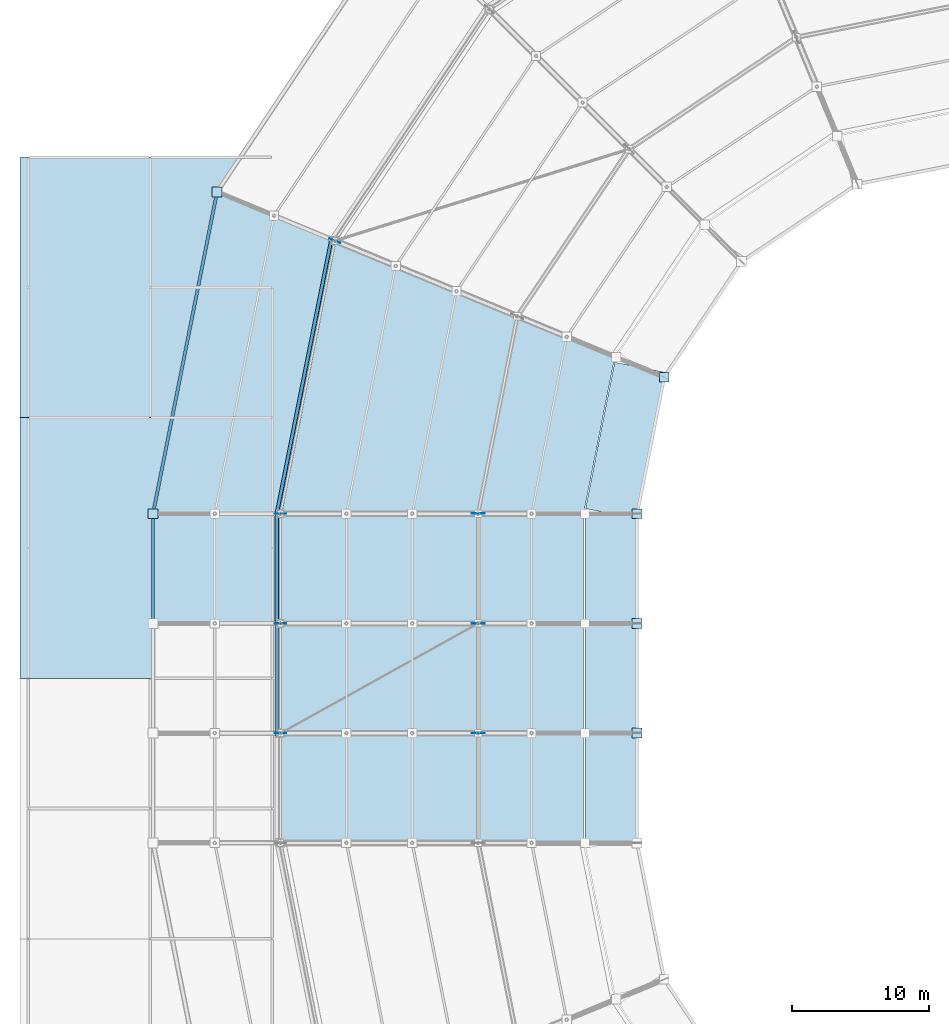
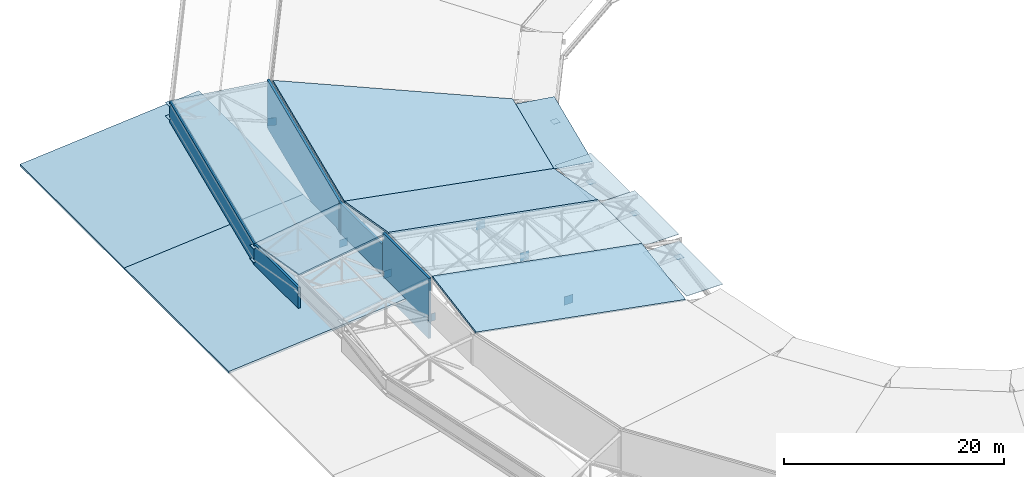
# One storey, part 108 of 146: 24 plates, 8 slabs.
"""IFC4 building model written with IfcOpenShell, lengths in metres."""

from ifc_helpers import new_model, si_unit, direction, frame, origin, origin_2d, place, context, subcontext, project, spatial, polyline, rectangle, outline, extrude, material, layer, layer_set, type_object, element, save


model = new_model("IFC4")

# Units and contexts
model_context = context("Model", 3, precision=1e-05, world=origin(), true_north=direction((0.0, 1.0)))
body_context = subcontext(model_context, "Body", "Model", "MODEL_VIEW")
ifc_project = project(units=[si_unit("LENGTHUNIT", "METRE"), si_unit("AREAUNIT", "SQUARE_METRE"), si_unit("VOLUMEUNIT", "CUBIC_METRE"), si_unit("PLANEANGLEUNIT", "RADIAN"), si_unit("MASSUNIT", "GRAM", prefix="KILO")], contexts=[model_context])

# Site, building, storey
site_placement = place(None, origin())
site = spatial("IfcSite", under=ifc_project, at=site_placement, CompositionType="ELEMENT")
building_placement = place(site_placement, origin())
building = spatial("IfcBuilding", under=site, at=building_placement, Name="Candeia Ridge Stadium", CompositionType="ELEMENT")
storey_placement = place(building_placement, frame((0.0, 0.0, 31.800048828125)))
storey = spatial("IfcBuildingStorey", under=building, at=storey_placement, Name="RF", CompositionType="ELEMENT", Elevation=31.800048828125)

# Plates
ifc_material_1 = material(Name="Aluminium Anodized Warm Bronze", Category="aluminium")
ifc_layer_1 = layer(ifc_material_1, 0.239990234375, Name="Aluminium Anodized Warm Bronze", Category="aluminium")
ifc_layer_set_1 = layer_set([ifc_layer_1], Name="Aluminium Anodized Warm Bronze")
plate_type_1 = type_object("IfcPlateType", Name="Crown Perforated Bronze Acoustic Screen", PredefinedType="SHEET", material=ifc_layer_set_1)
plate_1_placement = place(storey_placement, frame((20.709716796875, 105.00341796875, -0.3251953125), z_axis=(0.0, 0.0, 1.0), x_axis=(-0.195090318644, -0.980785281074, 0.0)))
element("IfcPlate", 1, at=plate_1_placement, inside=storey, type_object=plate_type_1, Name="Crown perforated bronze acoustic screen RF bay 11", PredefinedType="SHEET", context=body_context, shape_type="SweptSolid", body=[
    extrude(rectangle(XDim=20.798583984375, YDim=0.239990234375, at=origin_2d()), origin(), (0.0, 0.0, 1.0), 5.330078125),
])
plate_2_placement = place(storey_placement, frame((12.033203125, 106.729248046875, 1.25), z_axis=(0.0, 0.0, 1.0), x_axis=(-0.195090339048, -0.980785277015, 0.0)))
element("IfcPlate", 2, at=plate_2_placement, inside=storey, type_object=plate_type_1, Name="Saddle roof outer eaves warm-bronze fascia bay 11", PredefinedType="SHEET", context=body_context, shape_type="SweptSolid", body=[
    extrude(rectangle(XDim=23.97802734375, YDim=0.239990234375, at=origin_2d()), origin(), (0.0, 0.0, 1.0), 2.300048828125),
])
plate_3_placement = place(storey_placement, frame((18.719970703125, 91.0, -0.3251953125), z_axis=(0.0, 0.0, 1.0), x_axis=(0.0, -1.0, 0.0)))
element("IfcPlate", 3, at=plate_3_placement, inside=storey, type_object=plate_type_1, Name="Crown perforated bronze acoustic screen RF bay 12", PredefinedType="SHEET", context=body_context, shape_type="SweptSolid", body=[
    extrude(rectangle(XDim=8.39990234375, YDim=0.239990234375, at=origin_2d()), origin(), (0.0, 0.0, 1.0), 5.330078125),
])
plate_4_placement = place(storey_placement, frame((9.699951171875, 91.0, 1.25), z_axis=(0.0, 0.0, 1.0), x_axis=(0.0, -1.0, 0.0)))
element("IfcPlate", 4, at=plate_4_placement, inside=storey, type_object=plate_type_1, Name="Saddle roof outer eaves warm-bronze fascia bay 12", PredefinedType="SHEET", context=body_context, shape_type="SweptSolid", body=[
    extrude(rectangle(XDim=8.06005859375, YDim=0.239990234375, at=origin_2d()), origin(), (0.0, 0.0, 1.0), 2.300048828125),
])
plate_5_placement = place(storey_placement, frame((18.719970703125, 83.0, -0.3251953125), z_axis=(0.0, 0.0, 1.0), x_axis=(0.0, -1.0, 0.0)))
element("IfcPlate", 5, at=plate_5_placement, inside=storey, type_object=plate_type_1, Name="Crown perforated bronze acoustic screen RF bay 13", PredefinedType="SHEET", context=body_context, shape_type="SweptSolid", body=[
    extrude(rectangle(XDim=8.39990234375, YDim=0.239990234375, at=origin_2d()), origin(), (0.0, 0.0, 1.0), 6.715576171875),
])
ifc_material_2 = material(Name="Steel ASTM A572 Grade 50", Category="steel")
ifc_layer_2 = layer(ifc_material_2, 0.02490234375, Name="Steel ASTM A572 Grade 50", Category="steel")
ifc_layer_set_2 = layer_set([ifc_layer_2], Name="Steel ASTM A572 Grade 50")
plate_type_2 = type_object("IfcPlateType", Name="Hollow Section End Closure Plate CP2", PredefinedType="SHEET", material=ifc_layer_set_2)
for number, where, z_axis, x_axis, name in (
    (6, (46.979248046875, 104.94970703125, -1.972412109375), (0.0, 0.0, 1.0), (1.0, 0.0, 0.0), "Hollow section end closure plate BCAP-TIP-10"),
    (7, (14.3662109375, 118.45849609375, 3.2685546875), (0.0, 0.0, 1.0), (1.0, 0.0, 0.0), "Hollow section end closure plate TCAP-EAVE-10"),
    (8, (14.3662109375, 118.45849609375, 1.7685546875), (0.0, 0.0, 1.0), (1.0, 0.0, 0.0), "Hollow section end closure plate BCAP-EAVE-10"),
    (9, (45.0, 95.0, -1.972412109375), (0.0, 0.0, 1.0), (1.0, 0.0, 0.0), "Hollow section end closure plate BCAP-TIP-11"),
    (10, (9.699951171875, 95.0, 3.2685546875), (0.0, 0.0, 1.0), (1.0, 0.0, 0.0), "Hollow section end closure plate TCAP-EAVE-11"),
    (11, (9.699951171875, 95.0, 1.7685546875), (0.0, 0.0, 1.0), (1.0, 0.0, 0.0), "Hollow section end closure plate BCAP-EAVE-11"),
    (12, (45.0, 87.0, -0.5869140625), (0.0, 0.0, 1.0), (1.0, 0.0, 0.0), "Hollow section end closure plate BCAP-TIP-12"),
    (13, (45.0, 79.0, -0.5869140625), (0.0, 0.0, 1.0), (1.0, 0.0, 0.0), "Hollow section end closure plate BCAP-TIP-13"),
):
    element("IfcPlate", number, at=place(storey_placement, frame(where, z_axis=z_axis, x_axis=x_axis)), inside=storey, type_object=plate_type_2, Name=name, PredefinedType="SHEET", context=body_context, shape_type="SweptSolid", body=[
        extrude(rectangle(XDim=0.719970703125, YDim=0.719970703125, at=origin_2d()), origin(), (0.0, 0.0, 1.0), 0.02490234375),
    ])
ifc_material_3 = material(Name="Polycarbonate Multiwall Glazing", Category="glass")
ifc_layer_3 = layer(ifc_material_3, 0.034912109375, Name="Polycarbonate Multiwall Glazing", Category="glass")
ifc_layer_set_3 = layer_set([ifc_layer_3], Name="Polycarbonate Multiwall Glazing")
plate_type_3 = type_object("IfcPlateType", Name="Inner Roof Polycarbonate Daylight Panel DP1", PredefinedType="SHEET", material=ifc_layer_set_3)
plate_6_placement = place(storey_placement, frame((44.161865234375, 100.33837890625, 0.52392578125), z_axis=(0.0, 0.0, 1.0), x_axis=(-0.195090311899, -0.980785282416, 0.0)))
element("IfcPlate", 14, at=plate_6_placement, inside=storey, type_object=plate_type_3, Name="Inner roof polycarbonate daylight ring panel 11", PredefinedType="SHEET", context=body_context, shape_type="SweptSolid", body=[
    extrude(rectangle(XDim=10.885986328125, YDim=3.800048828125, at=origin_2d()), origin(), (0.0, 0.0, 1.0), 0.034912109375),
])
plate_7_placement = place(storey_placement, frame((43.10009765625, 83.0, 1.90966796875), z_axis=(0.0, 0.0, 1.0), x_axis=(0.0, -1.0, 0.0)))
element("IfcPlate", 15, at=plate_7_placement, inside=storey, type_object=plate_type_3, Name="Inner roof polycarbonate daylight ring panel 13", PredefinedType="SHEET", context=body_context, shape_type="SweptSolid", body=[
    extrude(rectangle(XDim=8.0, YDim=3.800048828125, at=origin_2d()), origin(), (0.0, 0.0, 1.0), 0.034912109375),
])
ifc_layer_4 = layer(ifc_material_3, 0.034912109375, Name="Polycarbonate Multiwall Glazing", Category="glass")
ifc_layer_set_4 = layer_set([ifc_layer_4], Name="Polycarbonate Multiwall Glazing")
plate_type_4 = type_object("IfcPlateType", Name="Inner Roof Polycarbonate Daylight Panel DP2", PredefinedType="SHEET", material=ifc_layer_set_4)
for number, where, z_axis, x_axis, name in (
    (16, (43.10009765625, 91.0, 1.216796875), (0.0, 0.0, 1.0), (0.0, -1.0, 0.0), "Inner roof polycarbonate daylight ring panel 12"),
    (17, (43.10009765625, 75.0, 1.216796875), (0.0, 0.0, 1.0), (0.0, -1.0, 0.0), "Inner roof polycarbonate daylight ring panel 14"),
):
    element("IfcPlate", number, at=place(storey_placement, frame(where, z_axis=z_axis, x_axis=x_axis)), inside=storey, type_object=plate_type_4, Name=name, PredefinedType="SHEET", context=body_context, shape_type="SweptSolid", body=[
        extrude(rectangle(XDim=8.0, YDim=3.800048828125, at=origin_2d()), origin(), (0.0, 0.0, 1.0), 0.034912109375),
    ])
ifc_layer_5 = layer(ifc_material_2, 0.031982421875, Name="Steel ASTM A572 Grade 50", Category="steel")
ifc_layer_set_5 = layer_set([ifc_layer_5], Name="Steel ASTM A572 Grade 50")
plate_type_5 = type_object("IfcPlateType", Name="Roof Truss Inner Support Node Gusset ND-1", PredefinedType="USERDEFINED", material=ifc_layer_set_5)
for number, where, z_axis, x_axis, name in (
    (18, (33.39990234375, 95.0, -3.13916015625), (0.0, 0.0, 1.0), (-1.0, 0.0, 0.0), "Roof truss inner support node ND-1 bay 12"),
    (19, (33.39990234375, 87.0, -1.75341796875), (0.0, 0.0, 1.0), (-1.0, 0.0, 0.0), "Roof truss inner support node ND-1 bay 13"),
    (20, (33.39990234375, 79.0, -1.75341796875), (0.0, 0.0, 1.0), (-1.0, 0.0, 0.0), "Roof truss inner support node ND-1 bay 14"),
):
    element("IfcPlate", number, at=place(storey_placement, frame(where, z_axis=z_axis, x_axis=x_axis)), inside=storey, type_object=plate_type_5, Name=name, ObjectType="GUSSET PLATE", PredefinedType="USERDEFINED", context=body_context, shape_type="SweptSolid", body=[
        extrude(rectangle(XDim=0.949951171875, YDim=0.031982421875, at=origin_2d()), origin(), (0.0, 0.0, 1.0), 0.949951171875),
    ])
ifc_layer_6 = layer(ifc_material_2, 0.028076171875, Name="Steel ASTM A572 Grade 50", Category="steel")
ifc_layer_set_6 = layer_set([ifc_layer_6], Name="Steel ASTM A572 Grade 50")
plate_type_6 = type_object("IfcPlateType", Name="Roof Truss Outer Tie Node Gusset ND-2", PredefinedType="USERDEFINED", material=ifc_layer_set_6)
for number, where, z_axis, x_axis, name in (
    (21, (22.958251953125, 114.899658203125, -0.025146484375), (0.0, 0.0, 1.0), (-0.923879532077, 0.382683433413, 0.0), "Roof truss outer support node ND-2 bay 11"),
    (22, (19.0, 95.0, -0.025146484375), (0.0, 0.0, 1.0), (-1.0, 0.0, 0.0), "Roof truss outer support node ND-2 bay 12"),
    (23, (19.0, 87.0, 1.360595703125), (0.0, 0.0, 1.0), (-1.0, 0.0, 0.0), "Roof truss outer support node ND-2 bay 13"),
    (24, (19.0, 79.0, 1.360595703125), (0.0, 0.0, 1.0), (-1.0, 0.0, 0.0), "Roof truss outer support node ND-2 bay 14"),
):
    element("IfcPlate", number, at=place(storey_placement, frame(where, z_axis=z_axis, x_axis=x_axis)), inside=storey, type_object=plate_type_6, Name=name, ObjectType="GUSSET PLATE", PredefinedType="USERDEFINED", context=body_context, shape_type="SweptSolid", body=[
        extrude(rectangle(XDim=0.85009765625, YDim=0.028076171875, at=origin_2d()), origin(), (0.0, 0.0, 1.0), 0.85009765625),
    ])

# Slabs
ifc_layer_7 = layer(ifc_material_2, 0.1650390625, Name="Steel ASTM A572 Grade 50", Category="steel")
ifc_layer_set_7 = layer_set([ifc_layer_7], Name="Steel ASTM A572 Grade 50")
slab_type_1 = type_object("IfcSlabType", Name="Saddle Eaves Roof Deck 165", PredefinedType="ROOF", material=ifc_layer_set_7)
slab_1_placement = place(storey_placement, frame((22.884033203125, 114.929931640625, 4.988037109375), z_axis=(-0.148820532569, 0.029601315607, 0.988421069788), x_axis=(-0.195081003438, -0.980787133937, 5.36886e-07)))
element("IfcSlab", 25, at=slab_1_placement, inside=storey, type_object=slab_type_1, Name="Stadium saddle roof eave deck bay 11", PredefinedType="ROOF", context=body_context, shape_type="SweptSolid", body=[
    extrude(outline(polyline([(0.0, 0.0), (20.320343349009452, 0.0), (22.118983740149393, -9.148759817575172), (-1.7985795203383441, -9.148603290923226), (0.0, 0.0)])), origin(), (0.0, 0.0, -1.0), 0.1650390625),
])
slab_2_placement = place(storey_placement, frame((18.919921875, 95.0, 4.988037109375), z_axis=(-0.146746697353, 0.168857334273, 0.974655122327), x_axis=(0.0, -0.985322117702, 0.170705372992)))
element("IfcSlab", 26, at=slab_2_placement, inside=storey, type_object=slab_type_1, Name="Stadium saddle roof eave deck bay 12", PredefinedType="ROOF", context=body_context, shape_type="SweptSolid", body=[
    extrude(outline(polyline([(0.0, 0.0), (8.11917225471596, -2.7755575615628914e-17), (7.882201856563932, -9.320877559910313), (-0.23697039815202675, -9.320877559910313), (0.0, 0.0)])), origin(), (0.0, 0.0, -1.0), 0.1650390625),
])
ifc_layer_8 = layer(ifc_material_2, 0.179931640625, Name="Steel ASTM A572 Grade 50", Category="steel")
ifc_layer_set_8 = layer_set([ifc_layer_8], Name="Steel ASTM A572 Grade 50")
slab_type_2 = type_object("IfcSlabType", Name="Saddle Roof Structural Deck 180", PredefinedType="ROOF", material=ifc_layer_set_8)
slab_3_placement = place(storey_placement, frame((43.3759765625, 106.44189453125, 0.911865234375), z_axis=(0.181763338981, -0.036153116313, 0.98267748564), x_axis=(-0.19508557751, -0.980786224132, 9.43866e-07)))
element("IfcSlab", 27, at=slab_3_placement, inside=storey, type_object=slab_type_2, Name="Stadium saddle roof main deck bay 11", PredefinedType="ROOF", context=body_context, shape_type="SweptSolid", body=[
    extrude(outline(polyline([(0.0, 0.0), (11.666043684987503, 4.440892098500626e-16), (15.961835756381939, -21.977641905484266), (-4.296263736213774, -21.977804497045955), (0.0, 0.0)])), origin(), (0.0, 0.0, -1.0), 0.179931640625),
])
slab_4_placement = place(storey_placement, frame((41.10009765625, 95.0, 0.911865234375), z_axis=(0.179344694406, 0.167822723157, 0.969366295154), x_axis=(0.0, -0.985342342027, 0.170588595774)))
element("IfcSlab", 28, at=slab_4_placement, inside=storey, type_object=slab_type_2, Name="Stadium saddle roof main deck bay 12", PredefinedType="ROOF", context=body_context, shape_type="SweptSolid", body=[
    extrude(outline(polyline([(0.0, 0.0), (8.119005607269688, 0.0), (8.813979215101714, -22.382929677745068), (0.6949736078320268, -22.382929677745064), (0.0, 0.0)])), origin(), (0.0, 0.0, -1.0), 0.179931640625),
])
slab_5_placement = place(storey_placement, frame((41.10009765625, 87.0, 2.296875), z_axis=(0.181924900567, 0.0, 0.983312427743), x_axis=(0.0, -1.0, 0.0)))
element("IfcSlab", 29, at=slab_5_placement, inside=storey, type_object=slab_type_2, Name="Stadium saddle roof main deck bay 13", PredefinedType="ROOF", context=body_context, shape_type="SweptSolid", body=[
    extrude(outline(polyline([(0.0, 0.0), (8.0, 0.0), (8.0, -22.393716289943118), (0.0, -22.393716289943118), (0.0, 0.0)])), origin(), (0.0, 0.0, -1.0), 0.179931640625),
])
slab_6_placement = place(storey_placement, frame((41.10009765625, 79.0, 2.296875), z_axis=(0.179303086408, -0.167824016943, 0.969373768235), x_axis=(0.0, -0.985342342027, -0.170588595774)))
element("IfcSlab", 30, at=slab_6_placement, inside=storey, type_object=slab_type_2, Name="Stadium saddle roof main deck bay 14", PredefinedType="ROOF", context=body_context, shape_type="SweptSolid", body=[
    extrude(outline(polyline([(0.0, 0.0), (8.119005607269688, -2.7755575615628914e-17), (7.424198589863221, -22.38275712362179), (-0.6948070174064663, -22.38275712362179), (0.0, 0.0)])), origin(), (0.0, 0.0, -1.0), 0.179931640625),
])
ifc_material_4 = material(Name="Concrete C40/50", Category="concrete")
ifc_layer_9 = layer(ifc_material_4, 0.22998046875, Name="Concrete C40/50", Category="concrete")
ifc_layer_set_9 = layer_set([ifc_layer_9], Name="Concrete C40/50")
slab_type_3 = type_object("IfcSlabType", Name="West Pavilion Sloped Roof 230", PredefinedType="ROOF", material=ifc_layer_set_9)
for number, where, z_axis, x_axis, name in (
    (31, (0.0, 83.0, 0.0), (-0.084791903923, 0.0, 0.996398681768), (0.996398681768, 0.0, 0.084791903923), "West pavilion sloped roof slab SLB-RF-WR-03"),
    (32, (0.0, 102.0, 0.0), (-0.084791903923, 0.0, 0.996398681768), (0.996398681768, 0.0, 0.084791903923), "West pavilion sloped roof slab SLB-RF-WR-04"),
):
    element("IfcSlab", number, at=place(storey_placement, frame(where, z_axis=z_axis, x_axis=x_axis)), inside=storey, type_object=slab_type_3, Name=name, PredefinedType="ROOF", context=body_context, shape_type="SweptSolid", body=[
        extrude(outline(polyline([(0.0, 0.0), (18.86799849510652, 0.0), (18.86799849510652, 19.0), (0.0, 19.0), (0.0, 0.0)])), origin(), (0.0, 0.0, -1.0), 0.22998046875),
    ])

save(model, "model.ifc")
